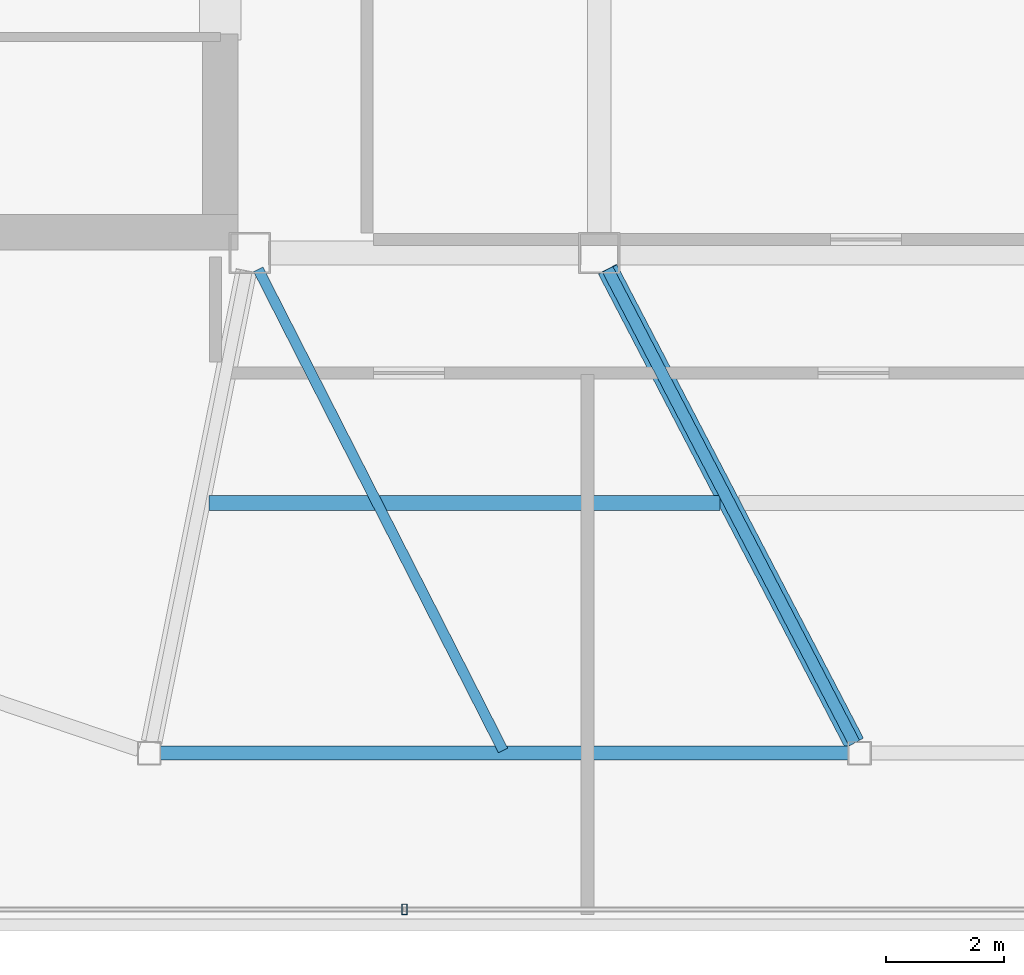
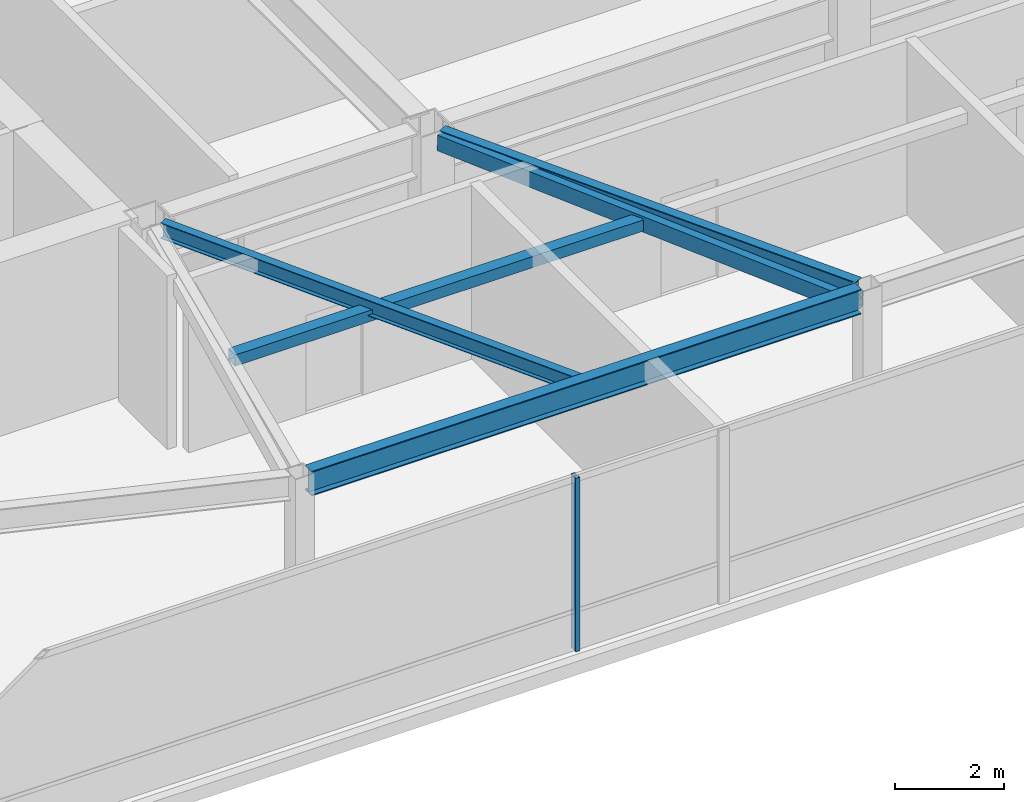
# One storey, part 4 of 22: 3 beams, 3 members, 1 element without a shape of its own.
"""IFC4 building model written with IfcOpenShell, lengths in metres."""

from ifc_helpers import new_model, si_unit, direction, frame, origin, origin_2d, place, context, subcontext, project, spatial, hollow_rectangle, i_section, extrude, material, layer, layer_set, material_profile, profile_set, type_object, element, aggregate, save


model = new_model("IFC4")

# Units and contexts
model_context = context("Model", 3, precision=1e-05, world=origin(), true_north=direction((0.0, 1.0)))
body_context = subcontext(model_context, "Body", "Model", "MODEL_VIEW")
ifc_project = project(units=[si_unit("LENGTHUNIT", "METRE"), si_unit("AREAUNIT", "SQUARE_METRE"), si_unit("VOLUMEUNIT", "CUBIC_METRE"), si_unit("PLANEANGLEUNIT", "RADIAN"), si_unit("MASSUNIT", "GRAM", prefix="KILO")], contexts=[model_context])

# Site, building, storey
site_placement = place(None, origin())
site = spatial("IfcSite", under=ifc_project, at=site_placement, CompositionType="ELEMENT")
building_placement = place(site_placement, origin())
building = spatial("IfcBuilding", under=site, at=building_placement, Name="Tavrogorsk Clinical Tower", CompositionType="ELEMENT")
storey_placement = place(building_placement, frame((0.0, 0.0, 352.800048828125)))
storey = spatial("IfcBuildingStorey", under=building, at=storey_placement, Name="L82", CompositionType="ELEMENT", Elevation=352.800048828125)

# Members
ifc_material_1 = material(Name="Structural steel S355", Category="steel")
ifc_material_profile_1 = material_profile(ifc_material_1, hollow_rectangle(XDim=0.25, YDim=0.25, WallThickness=0.012451171875, at=origin_2d()), Name="SHS-250x250x12.5")
ifc_profile_set_1 = profile_set([ifc_material_profile_1], Name="Structural steel S355")
member_type_1 = type_object("IfcMemberType", Name="CrownFacetPurlin_SHS250", PredefinedType="PURLIN", material=ifc_profile_set_1)
member_1_placement = place(storey_placement, frame((-10.989990234375, -10.574951171875, 3.510009765625), z_axis=(1.0, 0.0, 0.0), x_axis=(0.0, 1.0, 0.0)))
element("IfcMember", 1, at=member_1_placement, inside=storey, type_object=member_type_1, Name="L82 Crown Facet Purlin S-1", PredefinedType="PURLIN", context=body_context, shape_type="SweptSolid", body=[
    extrude(hollow_rectangle(XDim=0.25, YDim=0.25, WallThickness=0.012451171875, at=origin_2d()), origin(), (0.0, 0.0, 1.0), 8.6298828125),
])
ifc_material_2 = material(Name="Structural steel S390", Category="steel")
ifc_material_profile_2 = material_profile(ifc_material_2, hollow_rectangle(XDim=0.35009765625, YDim=0.35009765625, WallThickness=0.01611328125, at=origin_2d()), Name="SHS-350x350x16")
ifc_profile_set_2 = profile_set([ifc_material_profile_2], Name="Structural steel S390")
member_type_2 = type_object("IfcMemberType", Name="CrownFacetRafter_SHS350", PredefinedType="RAFTER", material=ifc_profile_set_2)
member_2_placement = place(storey_placement, frame((-4.2568359375, -6.624755859375, 3.650146484375), z_axis=(0.461609796576, -0.886524618116, -0.031472165167), x_axis=(0.886963994611, 0.461838578146, 0.0)))
element("IfcMember", 2, at=member_2_placement, inside=storey, type_object=member_type_2, Name="L82 Sloped Facet Rafter S-2", PredefinedType="RAFTER", context=body_context, shape_type="SweptSolid", body=[
    extrude(hollow_rectangle(XDim=0.35009765625, YDim=0.35009765625, WallThickness=0.01611328125, at=origin_2d()), origin(), (0.0, 0.0, 1.0), 9.021728515625),
])

# Curtain wall, member
ifc_material_3 = material(Name="Anodised aluminium and triple IGU glazing", Category="aluminium")
ifc_layer = layer(ifc_material_3, 0.179931640625)
ifc_layer_set = layer_set([ifc_layer], Name="Anodised aluminium and triple IGU glazing")
curtain_wall_type = type_object("IfcCurtainWallType", Name="CW5_SkyLobby", PredefinedType="NOTDEFINED", material=ifc_layer_set)
curtain_wall_placement = place(storey_placement, origin())
curtain_wall = element("IfcCurtainWall", 3, at=curtain_wall_placement, inside=storey, type_object=curtain_wall_type, Name="L82 Curtain Wall CW-L82-DRUM-8", PredefinedType="NOTDEFINED")
ifc_material_4 = material(Name="Anodised aluminium alloy AW-6060", Category="aluminium")
ifc_material_profile_3 = material_profile(ifc_material_4, hollow_rectangle(XDim=0.090087890625, YDim=0.179931640625, WallThickness=0.00634765625, at=origin_2d()), Name="RHS-180x90x6.3")
ifc_profile_set_3 = profile_set([ifc_material_profile_3], Name="Anodised aluminium alloy AW-6060")
member_type_3 = type_object("IfcMemberType", Name="CwMullion_180x90", PredefinedType="MULLION", material=ifc_profile_set_3)
member_3_placement = place(storey_placement, frame((-7.691162109375, -17.43994140625, 0.0), z_axis=(0.0, 0.0, 1.0), x_axis=(-1.0, 0.0, 0.0)))
member_3 = element("IfcMember", 4, at=member_3_placement, type_object=member_type_3, Name="CW-L82-DRUM-8 Mullion 3", PredefinedType="MULLION", context=body_context, shape_type="SweptSolid", body=[
    extrude(hollow_rectangle(XDim=0.090087890625, YDim=0.179931640625, WallThickness=0.00634765625, at=origin_2d()), origin(), (0.0, 0.0, 1.0), 3.8798828125),
])
aggregate(curtain_wall, [member_3])

# Beams
ifc_material_5 = material(Name="Structural steel S355", Category="steel")
ifc_material_profile_4 = material_profile(ifc_material_5, i_section(OverallWidth=0.199951171875, OverallDepth=0.449951171875, WebThickness=0.011474609375, FlangeThickness=0.01806640625, at=origin_2d()), Name="B-450x200x11.5x18")
ifc_profile_set_4 = profile_set([ifc_material_profile_4], Name="Structural steel S355")
beam_type_1 = type_object("IfcBeamType", Name="FloorBeam_B450", PredefinedType="BEAM", material=ifc_profile_set_4)
beam_1_placement = place(storey_placement, frame((-4.2568359375, -6.625, 3.655029296875), z_axis=(0.461855081218, -0.886955401332, 0.0), x_axis=(0.886955401332, 0.461855081218, 0.0)))
element("IfcBeam", 5, at=beam_1_placement, inside=storey, type_object=beam_type_1, Name="L82 Crown Radial Beam 02", PredefinedType="BEAM", context=body_context, shape_type="SweptSolid", body=[
    extrude(i_section(OverallWidth=0.199951171875, OverallDepth=0.449951171875, WebThickness=0.011474609375, FlangeThickness=0.01806640625, at=origin_2d()), origin(), (0.0, 0.0, 1.0), 9.027099609375),
])
ifc_material_6 = material(Name="Structural steel S355", Category="steel")
ifc_material_profile_5 = material_profile(ifc_material_6, i_section(OverallWidth=0.175048828125, OverallDepth=0.35009765625, WebThickness=0.009521484375, FlangeThickness=0.013916015625, at=origin_2d()), Name="B-350x175x9.5x14")
ifc_profile_set_5 = profile_set([ifc_material_profile_5], Name="Structural steel S355")
beam_type_2 = type_object("IfcBeamType", Name="SecondaryJoist_B350", PredefinedType="JOIST", material=ifc_profile_set_5)
beam_2_placement = place(storey_placement, frame((-10.159423828125, -6.626220703125, 3.704833984375), z_axis=(0.4535299827, -0.891241019474, 0.0), x_axis=(0.891241019474, 0.4535299827, 0.0)))
element("IfcBeam", 6, at=beam_2_placement, inside=storey, type_object=beam_type_2, Name="L82 Crown Secondary Joist 01", PredefinedType="JOIST", context=body_context, shape_type="SweptSolid", body=[
    extrude(i_section(OverallWidth=0.175048828125, OverallDepth=0.35009765625, WebThickness=0.009521484375, FlangeThickness=0.013916015625, at=origin_2d()), origin(), (0.0, 0.0, 1.0), 9.12109375),
])
ifc_material_7 = material(Name="Structural steel S390", Category="steel")
ifc_material_profile_6 = material_profile(ifc_material_7, i_section(OverallWidth=0.239990234375, OverallDepth=0.550048828125, WebThickness=0.013916015625, FlangeThickness=0.02197265625, at=origin_2d()), Name="B-550x240x14x22")
ifc_profile_set_6 = profile_set([ifc_material_profile_6], Name="Structural steel S390")
beam_type_3 = type_object("IfcBeamType", Name="SpandrelBeam_B550", PredefinedType="SPANDREL", material=ifc_profile_set_6)
beam_3_placement = place(storey_placement, frame((-11.81005859375, -14.800048828125, 3.60498046875), z_axis=(1.0, 0.0, 0.0), x_axis=(0.0, 1.0, 0.0)))
element("IfcBeam", 7, at=beam_3_placement, inside=storey, type_object=beam_type_3, Name="L82 Crown Spandrel Beam 01", PredefinedType="SPANDREL", context=body_context, shape_type="SweptSolid", body=[
    extrude(i_section(OverallWidth=0.239990234375, OverallDepth=0.550048828125, WebThickness=0.013916015625, FlangeThickness=0.02197265625, at=origin_2d()), origin(), (0.0, 0.0, 1.0), 11.6201171875),
])

save(model, "model.ifc")
